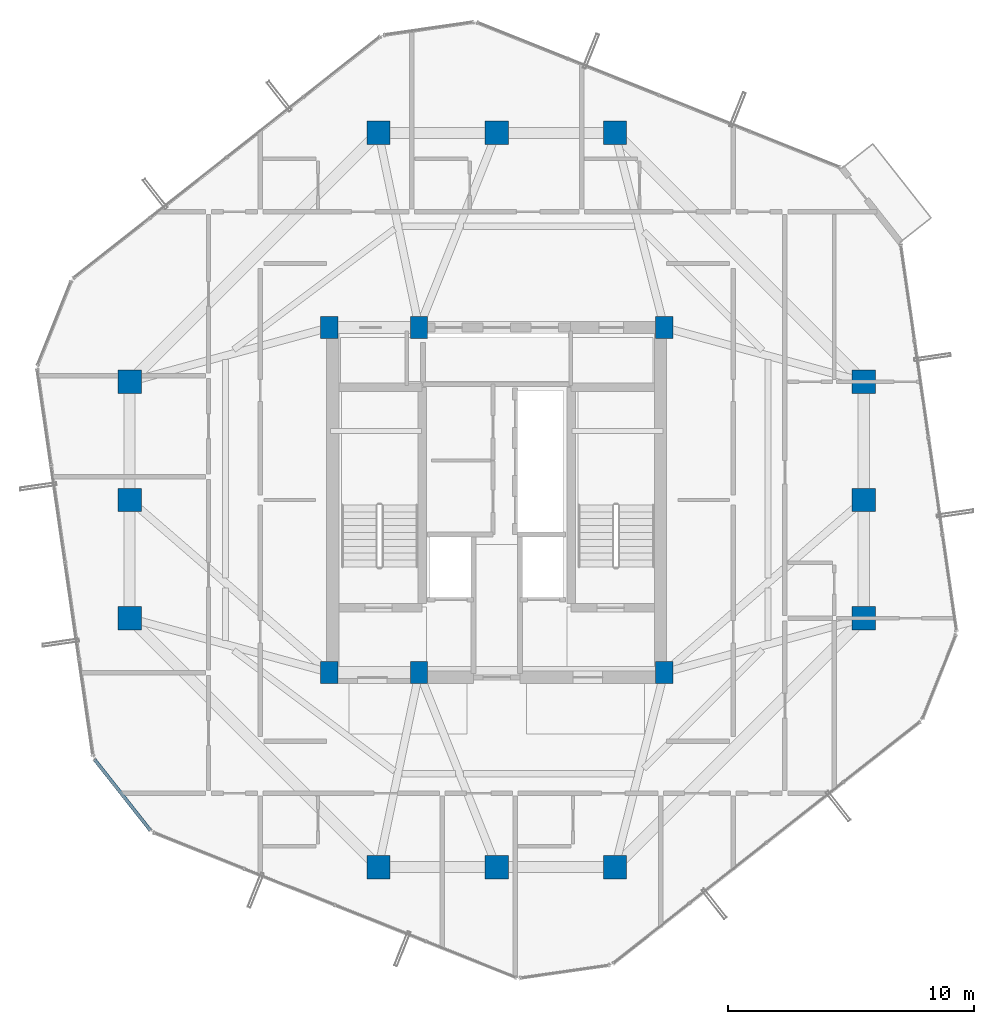
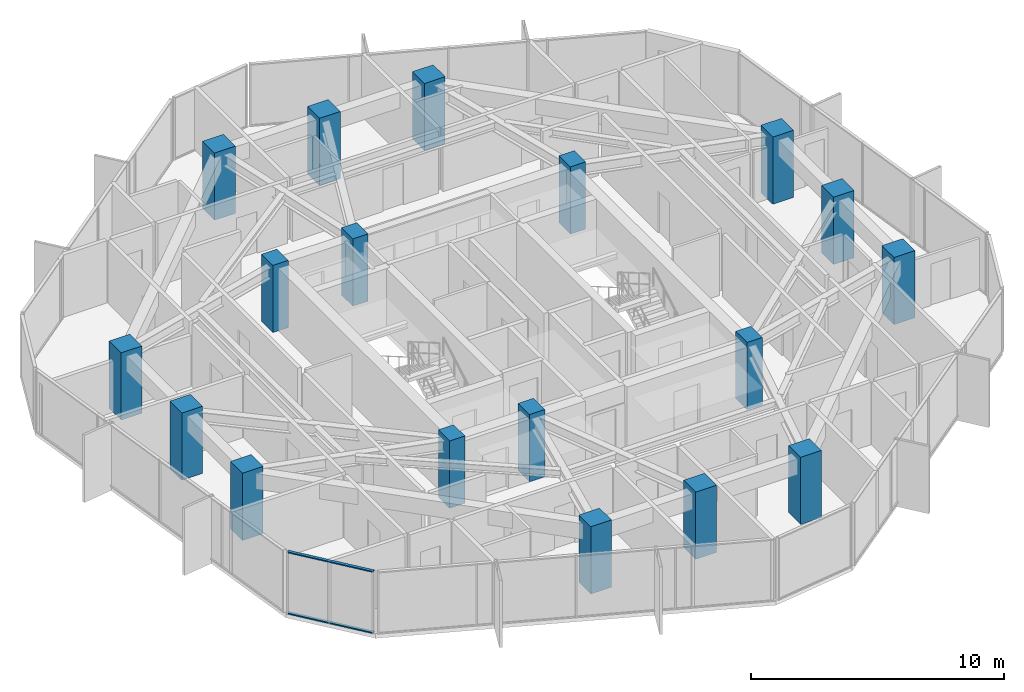
# One storey, part 1 of 31: 18 columns, 2 members, 1 element without a shape of its own.
"""IFC4 building model written with IfcOpenShell, lengths in metres."""

from ifc_helpers import new_model, si_unit, direction, frame, origin, origin_2d, place, context, subcontext, project, spatial, rectangle, hollow_rectangle, extrude, source, transform, mapped, material, layer, layer_set, material_profile, profile_set, type_object, element, aggregate, save


model = new_model("IFC4")

# Units and contexts
model_context = context("Model", 3, precision=1e-05, world=origin(), true_north=direction((0.0, 1.0)))
body_context = subcontext(model_context, "Body", "Model", "MODEL_VIEW")
ifc_project = project(units=[si_unit("LENGTHUNIT", "METRE"), si_unit("AREAUNIT", "SQUARE_METRE"), si_unit("VOLUMEUNIT", "CUBIC_METRE"), si_unit("PLANEANGLEUNIT", "RADIAN"), si_unit("MASSUNIT", "GRAM", prefix="KILO")], contexts=[model_context])

# Site, building, storey
site_placement = place(None, origin())
site = spatial("IfcSite", under=ifc_project, at=site_placement, CompositionType="ELEMENT")
building_placement = place(site_placement, origin())
building = spatial("IfcBuilding", under=site, at=building_placement, Name="Veraguas Prism Commons", CompositionType="ELEMENT")
storey_placement = place(building_placement, frame((0.0, 0.0, 178.85009765625)))
storey = spatial("IfcBuildingStorey", under=building, at=storey_placement, Name="L50", CompositionType="ELEMENT", Elevation=178.85009765625)

# Columns
ifc_material_1 = material(Name="Concrete C50/60", Category="concrete")
ifc_material_profile_1 = material_profile(ifc_material_1, rectangle(XDim=0.949951171875, YDim=0.949951171875, at=origin_2d()), Name="RC950X950")
ifc_profile_set_1 = profile_set([ifc_material_profile_1], Name="Concrete C50/60")
column_type_1 = type_object("IfcColumnType", Name="Column Tube Z3 RC 950x950", PredefinedType="COLUMN", material=ifc_profile_set_1)
for number, where, z_axis, x_axis, name in (
    (1, (38.89990234375, 19.199951171875, 0.0), (0.0, 0.0, 1.0), (1.0, 0.0, 0.0), "Tower Perimeter Column L50-TB01"),
    (2, (38.89990234375, 24.0, 0.0), (0.0, 0.0, 1.0), (1.0, 0.0, 0.0), "Tower Perimeter Column L50-TB02"),
    (3, (38.89990234375, 28.800048828125, 0.0), (0.0, 0.0, 1.0), (1.0, 0.0, 0.0), "Tower Perimeter Column L50-TB03"),
    (4, (28.800048828125, 38.89990234375, 0.0), (0.0, 0.0, 1.0), (1.0, 0.0, 0.0), "Tower Perimeter Column L50-TB04"),
    (5, (24.0, 38.89990234375, 0.0), (0.0, 0.0, 1.0), (1.0, 0.0, 0.0), "Tower Perimeter Column L50-TB05"),
    (6, (19.199951171875, 38.89990234375, 0.0), (0.0, 0.0, 1.0), (1.0, 0.0, 0.0), "Tower Perimeter Column L50-TB06"),
    (7, (9.10009765625, 28.800048828125, 0.0), (0.0, 0.0, 1.0), (1.0, 0.0, 0.0), "Tower Perimeter Column L50-TB07"),
    (8, (9.10009765625, 24.0, 0.0), (0.0, 0.0, 1.0), (1.0, 0.0, 0.0), "Tower Perimeter Column L50-TB08"),
    (9, (9.10009765625, 19.199951171875, 0.0), (0.0, 0.0, 1.0), (1.0, 0.0, 0.0), "Tower Perimeter Column L50-TB09"),
    (10, (19.199951171875, 9.10009765625, 0.0), (0.0, 0.0, 1.0), (1.0, 0.0, 0.0), "Tower Perimeter Column L50-TB10"),
    (11, (24.0, 9.10009765625, 0.0), (0.0, 0.0, 1.0), (1.0, 0.0, 0.0), "Tower Perimeter Column L50-TB11"),
    (12, (28.800048828125, 9.10009765625, 0.0), (0.0, 0.0, 1.0), (1.0, 0.0, 0.0), "Tower Perimeter Column L50-TB12"),
):
    element("IfcColumn", number, at=place(storey_placement, frame(where, z_axis=z_axis, x_axis=x_axis)), inside=storey, type_object=column_type_1, Name=name, PredefinedType="COLUMN", context=body_context, shape_type="SweptSolid", body=[
        extrude(rectangle(XDim=0.949951171875, YDim=0.949951171875, at=origin_2d()), origin(), (0.0, 0.0, 1.0), 3.25),
    ])
ifc_material_profile_2 = material_profile(ifc_material_1, rectangle(XDim=0.699951171875, YDim=0.89990234375, at=origin_2d()), Name="RC700X900")
ifc_profile_set_2 = profile_set([ifc_material_profile_2], Name="Concrete C50/60")
column_type_2 = type_object("IfcColumnType", Name="Pilaster Core Upper RC 700x900", PredefinedType="PILASTER", material=ifc_profile_set_2)
for number, where, z_axis, x_axis, name in (
    (13, (17.199951171875, 17.0, 0.0), (0.0, 0.0, 1.0), (1.0, 0.0, 0.0), "Core Pilaster Column L50-CR1"),
    (14, (20.85009765625, 17.0, 0.0), (0.0, 0.0, 1.0), (1.0, 0.0, 0.0), "Core Pilaster Column L50-CR2"),
    (15, (30.800048828125, 17.0, 0.0), (0.0, 0.0, 1.0), (1.0, 0.0, 0.0), "Core Pilaster Column L50-CR3"),
    (16, (17.199951171875, 31.0, 0.0), (0.0, 0.0, 1.0), (1.0, 0.0, 0.0), "Core Pilaster Column L50-CR4"),
    (17, (20.85009765625, 31.0, 0.0), (0.0, 0.0, 1.0), (1.0, 0.0, 0.0), "Core Pilaster Column L50-CR5"),
    (18, (30.800048828125, 31.0, 0.0), (0.0, 0.0, 1.0), (1.0, 0.0, 0.0), "Core Pilaster Column L50-CR6"),
):
    element("IfcColumn", number, at=place(storey_placement, frame(where, z_axis=z_axis, x_axis=x_axis)), inside=storey, type_object=column_type_2, Name=name, PredefinedType="PILASTER", context=body_context, shape_type="SweptSolid", body=[
        extrude(rectangle(XDim=0.699951171875, YDim=0.89990234375, at=origin_2d()), origin(), (0.0, 0.0, 1.0), 3.25),
    ])

# Curtain wall, members
ifc_material_2 = material(Name="Anodised aluminium EN AW-6063 T6", Category="aluminium")
ifc_layer = layer(ifc_material_2, 0.14990234375, Name="Unitised Flush Curtain Wall Zone 3", Category="aluminium")
ifc_layer_set = layer_set([ifc_layer], Name="Anodised aluminium EN AW-6063 T6")
curtain_wall_type = type_object("IfcCurtainWallType", Name="Unitised Flush Curtain Wall Zone 3", PredefinedType="NOTDEFINED", material=ifc_layer_set)
curtain_wall_placement = place(storey_placement, origin())
curtain_wall = element("IfcCurtainWall", 19, at=curtain_wall_placement, inside=storey, type_object=curtain_wall_type, Name="Chamfer Curtain Wall L50-C4", PredefinedType="NOTDEFINED")
ifc_material_profile_3 = material_profile(ifc_material_2, hollow_rectangle(XDim=0.054931640625, YDim=0.135009765625, WallThickness=0.0029296875, at=origin_2d()), Name="AL55X135X3")
ifc_profile_set_3 = profile_set([ifc_material_profile_3], Name="Anodised aluminium EN AW-6063 T6")
member_type = type_object("IfcMemberType", Name="Curtain Wall Transom Standard AL 55x135x3", PredefinedType="USERDEFINED", material=ifc_profile_set_3)
shared_shape = source(origin(), body_context, "Body", "SweptSolid", [
    extrude(hollow_rectangle(XDim=0.054931640625, YDim=0.135009765625, WallThickness=0.0029296875, at=origin_2d()), origin(), (0.0, 0.0, 1.0), 3.654541015625),
])
member_1_placement = place(storey_placement, frame((7.6728515625, 13.46826171875, 0.02734375), z_axis=(0.618688597809, -0.785636314678, 0.0), x_axis=(0.0, 0.0, 1.0)))
member_1 = element("IfcMember", 20, at=member_1_placement, type_object=member_type, Name="CW-Z3 Transom 1", ObjectType="TRANSOM", PredefinedType="USERDEFINED", context=body_context, shape_type="MappedRepresentation", body=[
    mapped(shared_shape, transform((0.0, 0.0, 0.0), scale=1.0)),
])
member_2_placement = place(storey_placement, frame((7.6728515625, 13.46826171875, 2.9873046875), z_axis=(0.618688597809, -0.785636314678, 0.0), x_axis=(0.0, 0.0, 1.0)))
member_2 = element("IfcMember", 21, at=member_2_placement, type_object=member_type, Name="CW-Z3 Transom 2", ObjectType="TRANSOM", PredefinedType="USERDEFINED", context=body_context, shape_type="MappedRepresentation", body=[
    mapped(shared_shape, transform((0.0, 0.0, 0.0), scale=1.0)),
])
aggregate(curtain_wall, [member_1, member_2])

save(model, "model.ifc")
